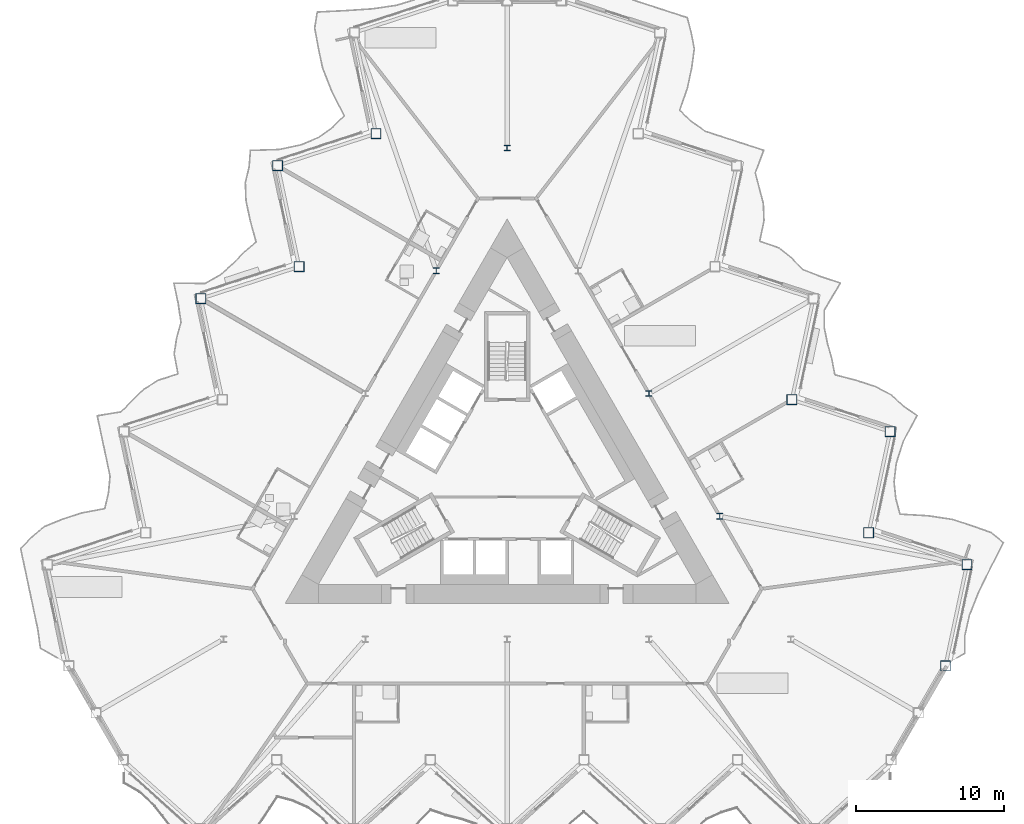
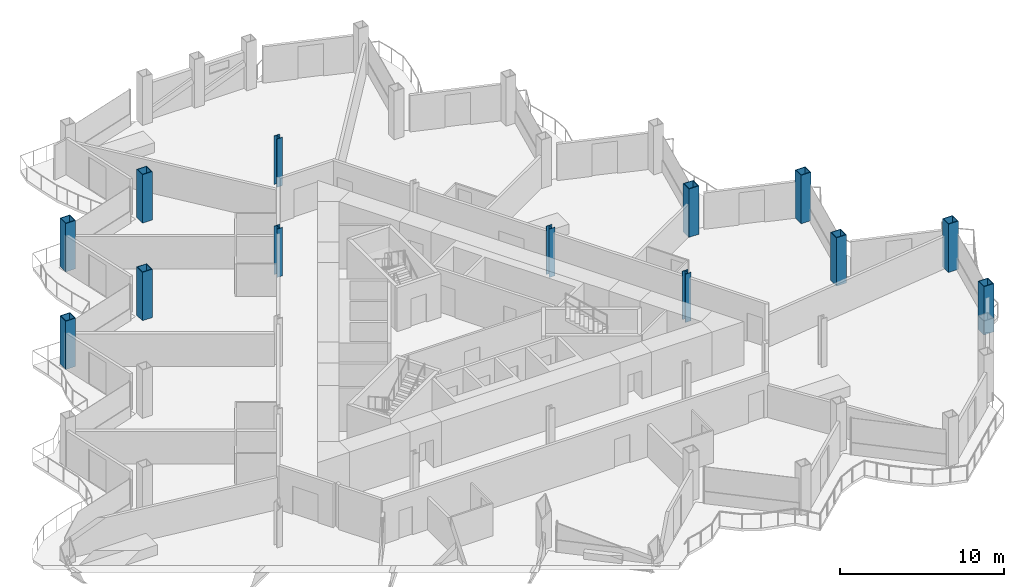
# One storey, part 2 of 23: 13 columns.
"""IFC4 building model written with IfcOpenShell, lengths in metres."""

from ifc_helpers import new_model, si_unit, direction, frame, origin, origin_2d, place, context, subcontext, project, spatial, hollow_rectangle, i_section, extrude, material, material_profile, profile_set, type_object, element, save


model = new_model("IFC4")

# Units and contexts
model_context = context("Model", 3, precision=1e-05, world=origin(), true_north=direction((0.0, 1.0)))
body_context = subcontext(model_context, "Body", "Model", "MODEL_VIEW")
ifc_project = project(units=[si_unit("LENGTHUNIT", "METRE"), si_unit("AREAUNIT", "SQUARE_METRE"), si_unit("VOLUMEUNIT", "CUBIC_METRE"), si_unit("PLANEANGLEUNIT", "RADIAN"), si_unit("MASSUNIT", "GRAM", prefix="KILO")], contexts=[model_context])

# Site, building, storey
site_placement = place(None, origin())
site = spatial("IfcSite", under=ifc_project, at=site_placement, CompositionType="ELEMENT")
building_placement = place(site_placement, origin())
building = spatial("IfcBuilding", under=site, at=building_placement, Name="Cormorant Prow Tower", CompositionType="ELEMENT")
storey_placement = place(building_placement, frame((0.0, 0.0, 245.39990234375)))
storey = spatial("IfcBuildingStorey", under=building, at=storey_placement, Name="L54", CompositionType="ELEMENT", Elevation=245.39990234375)

# Columns
ifc_material_1 = material(Name="Structural steel ASTM A572 Gr 50", Category="steel")
ifc_material_profile_1 = material_profile(ifc_material_1, hollow_rectangle(XDim=0.699951171875, YDim=0.699951171875, WallThickness=0.044921875, at=origin_2d()), Name="Box 700x700x45")
ifc_profile_set_1 = profile_set([ifc_material_profile_1], Name="Structural steel ASTM A572 Gr 50")
column_type_1 = type_object("IfcColumnType", Name="Perimeter box column 700x700x45", PredefinedType="COLUMN", material=ifc_profile_set_1)
for number, where, z_axis, x_axis, name in (
    (1, (29.611572265625, -12.858154296875, 0.0), (0.0, 0.0, 1.0), (1.0, 0.0, 0.0), "Perimeter column C5 at ENE00 L54"),
    (2, (31.063232421875, -6.029052734375, 0.0), (0.0, 0.0, 1.0), (1.0, 0.0, 0.0), "Perimeter column C5 at ENE01 L54"),
    (3, (24.42333984375, -3.871826171875, 0.0), (0.0, 0.0, 1.0), (1.0, 0.0, 0.0), "Perimeter column C5 at ENE02 L54"),
    (4, (25.875, 2.957275390625, 0.0), (0.0, 0.0, 1.0), (1.0, 0.0, 0.0), "Perimeter column C5 at ENE03 L54"),
    (5, (19.235107421875, 5.114501953125, 0.0), (0.0, 0.0, 1.0), (1.0, 0.0, 0.0), "Perimeter column C5 at ENE04 L54"),
    (6, (-8.858642578125, 23.087158203125, 0.0), (0.0, 0.0, 1.0), (1.0, 0.0, 0.0), "Perimeter column C5 at WNW02 L54"),
    (7, (-15.49853515625, 20.9296875, 0.0), (0.0, 0.0, 1.0), (1.0, 0.0, 0.0), "Perimeter column C5 at WNW03 L54"),
    (8, (-14.046875, 14.100830078125, 0.0), (0.0, 0.0, 1.0), (1.0, 0.0, 0.0), "Perimeter column C5 at WNW04 L54"),
    (9, (-20.686767578125, 11.943359375, 0.0), (0.0, 0.0, 1.0), (1.0, 0.0, 0.0), "Perimeter column C5 at WNW05 L54"),
):
    element("IfcColumn", number, at=place(storey_placement, frame(where, z_axis=z_axis, x_axis=x_axis)), inside=storey, type_object=column_type_1, Name=name, PredefinedType="COLUMN", context=body_context, shape_type="SweptSolid", body=[
        extrude(hollow_rectangle(XDim=0.699951171875, YDim=0.699951171875, WallThickness=0.044921875, at=origin_2d()), origin(), (0.0, 0.0, 1.0), 3.60009765625),
    ])
ifc_material_2 = material(Name="Structural steel ASTM A992 Gr 50", Category="steel")
ifc_material_profile_2 = material_profile(ifc_material_2, i_section(OverallWidth=0.39892578125, OverallDepth=0.393310546875, WebThickness=0.022705078125, FlangeThickness=0.03662109375, at=origin_2d()), Name="W14x193")
ifc_profile_set_2 = profile_set([ifc_material_profile_2], Name="Structural steel ASTM A992 Gr 50")
column_type_2 = type_object("IfcColumnType", Name="Ring column W14x193", PredefinedType="COLUMN", material=ifc_profile_set_2)
for number, where, z_axis, x_axis, name in (
    (10, (0.0, 22.12060546875, 0.0), (0.0, 0.0, 1.0), (1.0, 0.0, 0.0), "Ring column 1 L54"),
    (11, (-4.789306640625, 13.8251953125, 0.0), (0.0, 0.0, 1.0), (1.0, 0.0, 0.0), "Ring column 2 L54"),
    (12, (14.36767578125, -2.76513671875, 0.0), (0.0, 0.0, 1.0), (1.0, 0.0, 0.0), "Ring column 10 L54"),
    (13, (9.578369140625, 5.530029296875, 0.0), (0.0, 0.0, 1.0), (1.0, 0.0, 0.0), "Ring column 11 L54"),
):
    element("IfcColumn", number, at=place(storey_placement, frame(where, z_axis=z_axis, x_axis=x_axis)), inside=storey, type_object=column_type_2, Name=name, PredefinedType="COLUMN", context=body_context, shape_type="SweptSolid", body=[
        extrude(i_section(OverallWidth=0.39892578125, OverallDepth=0.393310546875, WebThickness=0.022705078125, FlangeThickness=0.03662109375, at=origin_2d()), origin(), (0.0, 0.0, 1.0), 3.60009765625),
    ])

save(model, "model.ifc")
